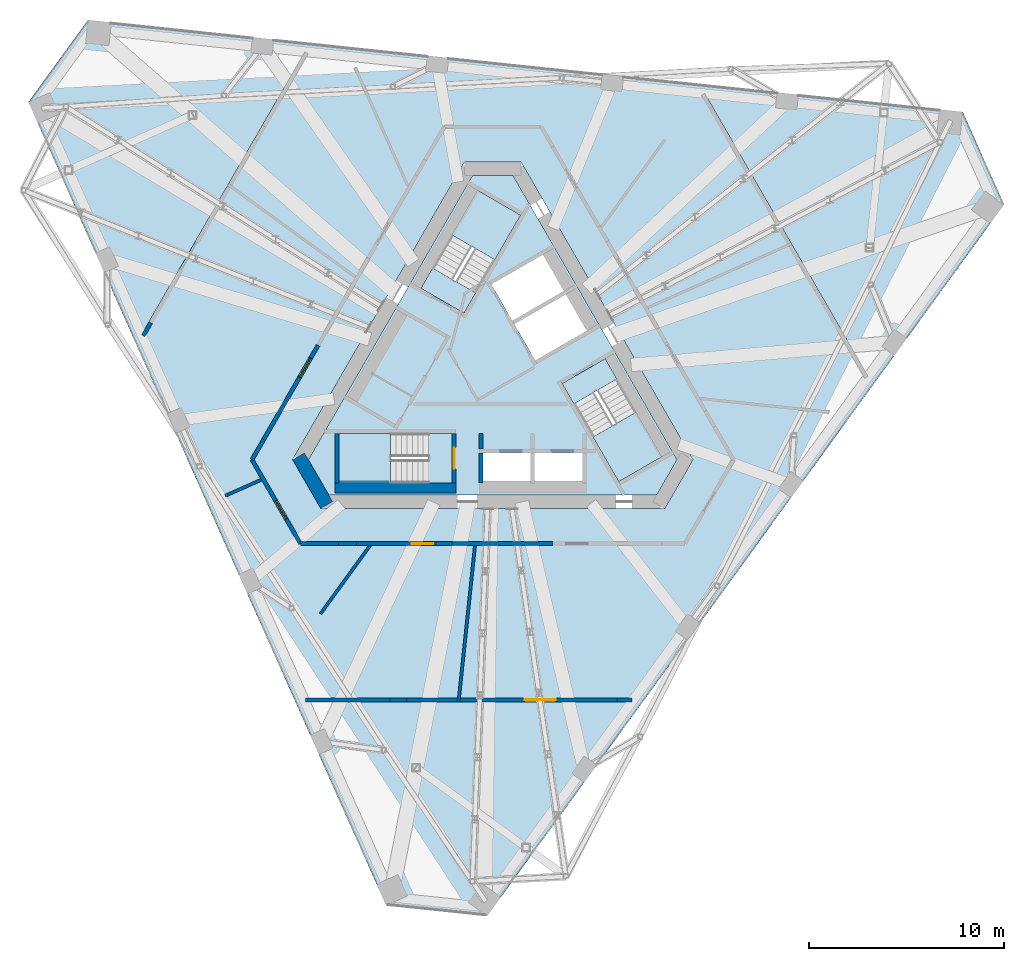
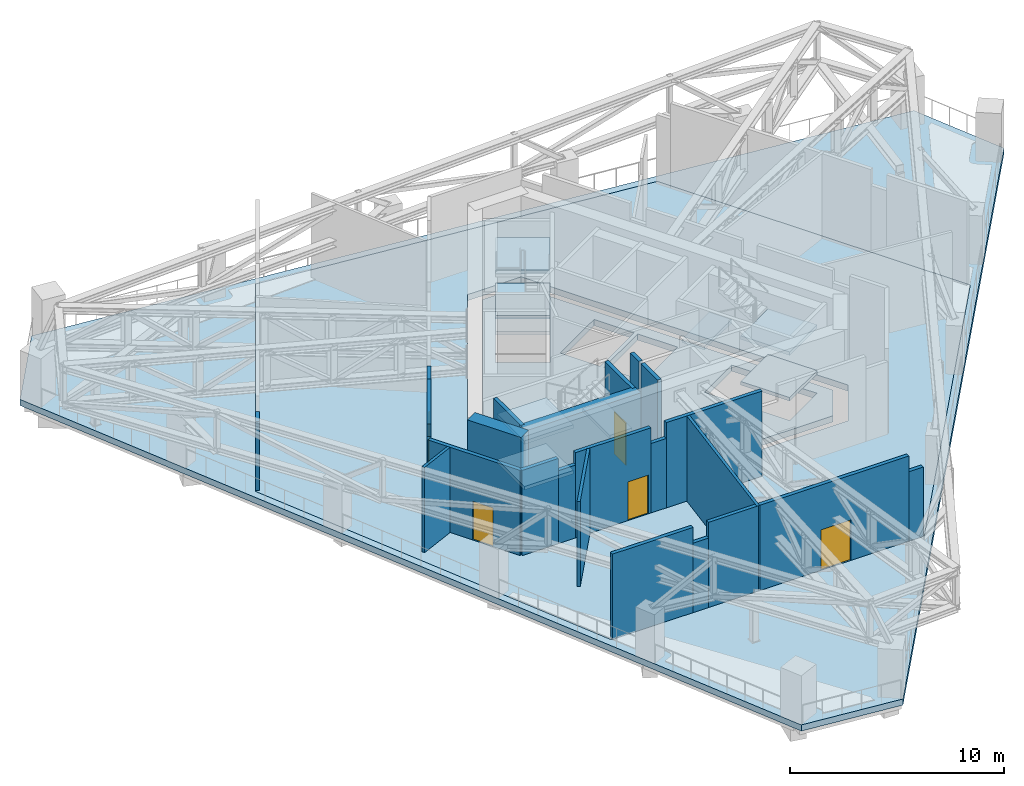
# One storey, part 11 of 20: 23 walls, 12 slabs, 5 doors, 5 openings, 3 elements without a shape of their own.
"""IFC4 building model written with IfcOpenShell, lengths in metres."""

from ifc_helpers import new_model, si_unit, direction, frame, frame_2d, origin, place, context, subcontext, project, spatial, polyline, rectangle, outline, extrude, material, layer, layer_set, type_object, element, fill, aggregate, save


model = new_model("IFC4")

# Units and contexts
model_context = context("Model", 3, precision=1e-05, world=origin(), true_north=direction((0.0, 1.0)))
body_context = subcontext(model_context, "Body", "Model", "MODEL_VIEW")
ifc_project = project(units=[si_unit("LENGTHUNIT", "METRE"), si_unit("AREAUNIT", "SQUARE_METRE"), si_unit("VOLUMEUNIT", "CUBIC_METRE"), si_unit("PLANEANGLEUNIT", "RADIAN"), si_unit("MASSUNIT", "GRAM", prefix="KILO")], contexts=[model_context])

# Site, building, storey
site_placement = place(None, origin())
site = spatial("IfcSite", under=ifc_project, at=site_placement, CompositionType="ELEMENT")
building_placement = place(site_placement, origin())
building = spatial("IfcBuilding", under=site, at=building_placement, Name="Tramontana Tower", CompositionType="ELEMENT")
storey_placement = place(building_placement, frame((0.0, 0.0, 269.199951171875)))
storey = spatial("IfcBuildingStorey", under=building, at=storey_placement, Name="L63", CompositionType="ELEMENT", Elevation=269.199951171875)

# Slabs
ifc_material_1 = material(Name="Concrete 40 MPa", Category="concrete")
ifc_layer_1 = layer(ifc_material_1, 0.35009765625)
ifc_layer_set_1 = layer_set([ifc_layer_1], Name="PT FLAT SLAB 350 40 MPa")
slab_type_1 = type_object("IfcSlabType", Name="PT FLAT SLAB 350 40 MPa", PredefinedType="FLOOR", material=ifc_layer_set_1)
slab_1_placement = place(storey_placement, frame((0.0, 0.0, -0.349853515625)))
element("IfcSlab", 1, at=slab_1_placement, inside=storey, type_object=slab_type_1, Name="Floor slab L63", PredefinedType="FLOOR", context=body_context, shape_type="SweptSolid", body=[
    extrude(outline(polyline([(-9.598388671875, -16.64990234375), (-9.608154296875, -16.6494140625), (-9.617919921875, -16.648193359375), (-9.62744140625, -16.645751953125), (-9.63671875, -16.642333984375), (-9.6455078125, -16.63818359375), (-9.65380859375, -16.633056640625), (-9.661865234375, -16.627197265625), (-9.6689453125, -16.62060546875), (-9.675537109375, -16.61328125), (-9.681396484375, -16.605712890625), (-9.6865234375, -16.59716796875), (-9.690673828125, -16.58837890625), (-17.98974609375, 2.052001953125), (-17.99365234375, 2.060791015625), (-17.99658203125, 2.0703125), (-17.998779296875, 2.079833984375), (-18.0, 2.089599609375), (-18.0, 2.099365234375), (-17.999267578125, 2.109130859375), (-17.99755859375, 2.118896484375), (-17.994873046875, 2.128173828125), (-17.9912109375, 2.137451171875), (-17.98681640625, 2.14599609375), (-17.59619140625, 2.822509765625), (-9.6201171875, 16.637451171875), (-9.61474609375, 16.6455078125), (-9.608642578125, 16.6533203125), (-9.601806640625, 16.660400390625), (-9.594482421875, 16.666748046875), (-9.58642578125, 16.67236328125), (-9.577880859375, 16.677001953125), (-9.56884765625, 16.680908203125), (-9.559326171875, 16.68408203125), (-9.5498046875, 16.68603515625), (-9.5400390625, 16.687255859375), (-9.5302734375, 16.687255859375), (-9.5205078125, 16.6865234375), (10.77197265625, 14.5537109375), (10.781494140625, 14.552490234375), (10.791259765625, 14.550537109375), (10.800537109375, 14.547607421875), (10.8095703125, 14.543701171875), (10.818115234375, 14.538818359375), (10.826171875, 14.533203125), (10.833740234375, 14.52685546875), (10.840576171875, 14.519775390625), (10.8466796875, 14.51220703125), (10.851806640625, 14.50390625), (11.242431640625, 13.827392578125), (16.54248046875, 4.6474609375), (19.218505859375, 0.0126953125), (19.222900390625, 0.00390625), (19.2265625, -0.00537109375), (19.229248046875, -0.0146484375), (19.23095703125, -0.0244140625), (19.231689453125, -0.0341796875), (19.231689453125, -0.0439453125), (19.23046875, -0.0537109375), (19.228515625, -0.063232421875), (19.2255859375, -0.072509765625), (19.2216796875, -0.08154296875), (19.216796875, -0.090087890625), (19.211181640625, -0.098388671875), (7.218017578125, -16.605712890625), (7.212158203125, -16.61328125), (7.20556640625, -16.62060546875), (7.1982421875, -16.627197265625), (7.190185546875, -16.633056640625), (7.181884765625, -16.63818359375), (7.173095703125, -16.642333984375), (7.163818359375, -16.645751953125), (7.154296875, -16.648193359375), (7.14453125, -16.6494140625), (7.134765625, -16.64990234375), (6.353515625, -16.64990234375), (-9.598388671875, -16.64990234375)]), holes=[polyline([(-8.8046875, -6.75), (8.8046875, -6.75), (10.248046875, -4.25), (1.443359375, 11.0), (-1.443359375, 11.0), (-10.248046875, -4.25), (-8.8046875, -6.75)])]), origin(), (0.0, 0.0, 1.0), 0.349853515625),
])
slab_2_placement = place(storey_placement, frame((0.0, 0.0, -0.349853515625)))
element("IfcSlab", 2, at=slab_2_placement, inside=storey, type_object=slab_type_1, Name="Terrace slab L63", PredefinedType="FLOOR", context=body_context, shape_type="SweptSolid", body=[
    extrude(outline(polyline([(-0.290771484375, -27.620849609375), (-5.45849609375, -27.077880859375), (-23.775146484375, 14.062255859375), (-20.720947265625, 18.26611328125), (24.06591796875, 13.55859375), (26.17919921875, 8.811767578125), (-0.290771484375, -27.620849609375)]), holes=[polyline([(7.134765625, -16.64990234375), (7.14453125, -16.6494140625), (7.154296875, -16.648193359375), (7.163818359375, -16.645751953125), (7.173095703125, -16.642333984375), (7.181884765625, -16.63818359375), (7.190185546875, -16.633056640625), (7.1982421875, -16.627197265625), (7.20556640625, -16.62060546875), (7.212158203125, -16.61328125), (7.218017578125, -16.605712890625), (19.211181640625, -0.098388671875), (19.216796875, -0.090087890625), (19.2216796875, -0.08154296875), (19.2255859375, -0.072509765625), (19.228515625, -0.063232421875), (19.23046875, -0.0537109375), (19.231689453125, -0.0439453125), (19.231689453125, -0.0341796875), (19.23095703125, -0.0244140625), (19.229248046875, -0.0146484375), (19.2265625, -0.00537109375), (19.222900390625, 0.00390625), (19.218505859375, 0.0126953125), (16.54248046875, 4.6474609375), (11.242431640625, 13.827392578125), (10.851806640625, 14.50390625), (10.8466796875, 14.51220703125), (10.840576171875, 14.519775390625), (10.833740234375, 14.52685546875), (10.826171875, 14.533203125), (10.818115234375, 14.538818359375), (10.8095703125, 14.543701171875), (10.800537109375, 14.547607421875), (10.791259765625, 14.550537109375), (10.781494140625, 14.552490234375), (10.77197265625, 14.5537109375), (-9.5205078125, 16.6865234375), (-9.5302734375, 16.687255859375), (-9.5400390625, 16.687255859375), (-9.5498046875, 16.68603515625), (-9.559326171875, 16.68408203125), (-9.56884765625, 16.680908203125), (-9.577880859375, 16.677001953125), (-9.58642578125, 16.67236328125), (-9.594482421875, 16.666748046875), (-9.601806640625, 16.660400390625), (-9.608642578125, 16.6533203125), (-9.61474609375, 16.6455078125), (-9.6201171875, 16.637451171875), (-17.59619140625, 2.822509765625), (-17.98681640625, 2.14599609375), (-17.9912109375, 2.137451171875), (-17.994873046875, 2.128173828125), (-17.99755859375, 2.118896484375), (-17.999267578125, 2.109130859375), (-18.0, 2.099365234375), (-18.0, 2.089599609375), (-17.998779296875, 2.079833984375), (-17.99658203125, 2.0703125), (-17.99365234375, 2.060791015625), (-17.98974609375, 2.052001953125), (-9.690673828125, -16.58837890625), (-9.6865234375, -16.59716796875), (-9.681396484375, -16.605712890625), (-9.675537109375, -16.61328125), (-9.6689453125, -16.62060546875), (-9.661865234375, -16.627197265625), (-9.65380859375, -16.633056640625), (-9.6455078125, -16.63818359375), (-9.63671875, -16.642333984375), (-9.62744140625, -16.645751953125), (-9.617919921875, -16.648193359375), (-9.608154296875, -16.6494140625), (-9.598388671875, -16.64990234375), (6.353515625, -16.64990234375), (7.134765625, -16.64990234375)])]), origin(), (0.0, 0.0, 1.0), 0.349853515625),
])
slab_3_placement = place(storey_placement, frame((0.0, 0.0, -0.349853515625)))
element("IfcSlab", 3, at=slab_3_placement, inside=storey, type_object=slab_type_1, Name="Core floor slab L63", PredefinedType="FLOOR", context=body_context, shape_type="SweptSolid", body=[
    extrude(outline(polyline([(9.439697265625, -4.25), (8.400390625, -6.050048828125), (-8.400390625, -6.050048828125), (-9.439697265625, -4.25), (-1.039306640625, 10.300048828125), (1.039306640625, 10.300048828125), (9.439697265625, -4.25)]), holes=[polyline([(8.659912109375, -4.099365234375), (6.35986328125, -0.115478515625), (4.151611328125, -1.390625), (6.451416015625, -5.374267578125), (8.659912109375, -4.099365234375)]), polyline([(3.829833984375, 4.2666015625), (1.101806640625, 2.69140625), (2.177001953125, 0.82958984375), (4.90478515625, 2.404541015625), (3.829833984375, 4.2666015625)]), polyline([(4.590087890625, -3.89990234375), (2.139892578125, -3.89990234375), (2.139892578125, -5.449951171875), (4.590087890625, -5.449951171875), (4.590087890625, -3.89990234375)]), polyline([(2.65478515625, 6.3017578125), (-0.072998046875, 4.726806640625), (1.001953125, 2.86474609375), (3.729736328125, 4.439697265625), (2.65478515625, 6.3017578125)]), polyline([(1.93994140625, -5.449951171875), (1.93994140625, -3.89990234375), (-0.510009765625, -3.89990234375), (-0.510009765625, -5.449951171875), (1.93994140625, -5.449951171875)]), polyline([(-0.77978515625, 9.54931640625), (-3.079833984375, 5.565673828125), (-0.87158203125, 4.29052734375), (1.428466796875, 8.2744140625), (-0.77978515625, 9.54931640625)]), polyline([(-7.8798828125, -5.449951171875), (-3.280029296875, -5.449951171875), (-3.280029296875, -2.89990234375), (-7.8798828125, -2.89990234375), (-7.8798828125, -5.449951171875)])]), origin(), (0.0, 0.0, 1.0), 0.349853515625),
])

# Stair, slabs
ifc_material_2 = material(Name="Concrete 40 MPa", Category="concrete")
stair_type = type_object("IfcStairType", Name="EXIT STAIR 32 RISERS", PredefinedType="HALF_TURN_STAIR", material=ifc_material_2)
stair_1_placement = place(storey_placement, origin())
stair_1 = element("IfcStair", 4, at=stair_1_placement, inside=storey, type_object=stair_type, Name="L63 Exit stair ST1", PredefinedType="HALF_TURN_STAIR")
ifc_material_3 = material(Name="Concrete 40 MPa", Category="concrete")
ifc_layer_2 = layer(ifc_material_3, 0.199951171875)
ifc_layer_set_2 = layer_set([ifc_layer_2], Name="STAIR LANDING 200")
slab_type_2 = type_object("IfcSlabType", Name="STAIR LANDING 200", PredefinedType="LANDING", material=ifc_layer_set_2)
slab_4_placement = place(storey_placement, frame((0.0, 0.0, 1.10009765625)))
slab_4 = element("IfcSlab", 5, at=slab_4_placement, type_object=slab_type_2, Name="ST1 landing 1", PredefinedType="LANDING", context=body_context, shape_type="SweptSolid", body=[
    extrude(outline(polyline([(0.108642578125, 5.988037109375), (1.428466796875, 8.274169921875), (-0.77978515625, 9.54931640625), (-2.099853515625, 7.262939453125), (0.108642578125, 5.988037109375)])), origin(), (0.0, 0.0, 1.0), 0.199951171875),
])
slab_5_placement = place(storey_placement, frame((0.0, 0.0, 2.400146484375)))
slab_5 = element("IfcSlab", 6, at=slab_5_placement, type_object=slab_type_2, Name="ST1 landing 2", PredefinedType="LANDING", context=body_context, shape_type="SweptSolid", body=[
    extrude(outline(polyline([(-1.471435546875, 3.251220703125), (-0.87158203125, 4.29052734375), (-3.079833984375, 5.565673828125), (-3.679931640625, 4.5263671875), (-1.471435546875, 3.251220703125)])), origin(), (0.0, 0.0, 1.0), 0.199951171875),
])
slab_6_placement = place(storey_placement, frame((0.0, 0.0, 3.699951171875)))
slab_6 = element("IfcSlab", 7, at=slab_6_placement, type_object=slab_type_2, Name="ST1 landing 3", PredefinedType="LANDING", context=body_context, shape_type="SweptSolid", body=[
    extrude(outline(polyline([(0.108642578125, 5.988037109375), (1.428466796875, 8.274169921875), (-0.77978515625, 9.54931640625), (-2.099853515625, 7.262939453125), (0.108642578125, 5.988037109375)])), origin(), (0.0, 0.0, 1.0), 0.2001953125),
])
aggregate(stair_1, [slab_4, slab_5, slab_6])

stair_2_placement = place(storey_placement, origin())
stair_2 = element("IfcStair", 8, at=stair_2_placement, inside=storey, type_object=stair_type, Name="L63 Exit stair ST2", PredefinedType="HALF_TURN_STAIR")
slab_7_placement = place(storey_placement, frame((0.0, 0.0, 1.10009765625)))
slab_7 = element("IfcSlab", 9, at=slab_7_placement, type_object=slab_type_2, Name="ST2 landing 1", PredefinedType="LANDING", context=body_context, shape_type="SweptSolid", body=[
    extrude(outline(polyline([(-5.239990234375, -2.89990234375), (-7.8798828125, -2.89990234375), (-7.8798828125, -5.449951171875), (-5.239990234375, -5.449951171875), (-5.239990234375, -2.89990234375)])), origin(), (0.0, 0.0, 1.0), 0.199951171875),
])
slab_8_placement = place(storey_placement, frame((0.0, 0.0, 2.400146484375)))
slab_8 = element("IfcSlab", 10, at=slab_8_placement, type_object=slab_type_2, Name="ST2 landing 2", PredefinedType="LANDING", context=body_context, shape_type="SweptSolid", body=[
    extrude(outline(polyline([(-2.080078125, -2.89990234375), (-3.280029296875, -2.89990234375), (-3.280029296875, -5.449951171875), (-2.080078125, -5.449951171875), (-2.080078125, -2.89990234375)])), origin(), (0.0, 0.0, 1.0), 0.199951171875),
])
slab_9_placement = place(storey_placement, frame((0.0, 0.0, 3.699951171875)))
slab_9 = element("IfcSlab", 11, at=slab_9_placement, type_object=slab_type_2, Name="ST2 landing 3", PredefinedType="LANDING", context=body_context, shape_type="SweptSolid", body=[
    extrude(outline(polyline([(-5.239990234375, -2.89990234375), (-7.8798828125, -2.89990234375), (-7.8798828125, -5.449951171875), (-5.239990234375, -5.449951171875), (-5.239990234375, -2.89990234375)])), origin(), (0.0, 0.0, 1.0), 0.2001953125),
])
aggregate(stair_2, [slab_7, slab_8, slab_9])

stair_3_placement = place(storey_placement, origin())
stair_3 = element("IfcStair", 12, at=stair_3_placement, inside=storey, type_object=stair_type, Name="L63 Exit stair ST3", PredefinedType="HALF_TURN_STAIR")
slab_10_placement = place(storey_placement, frame((0.0, 0.0, 1.10009765625)))
slab_10 = element("IfcSlab", 13, at=slab_10_placement, type_object=slab_type_2, Name="ST3 landing 1", PredefinedType="LANDING", context=body_context, shape_type="SweptSolid", body=[
    extrude(outline(polyline([(5.131591796875, -3.087890625), (6.451416015625, -5.374267578125), (8.659912109375, -4.099365234375), (7.33984375, -1.81298828125), (5.131591796875, -3.087890625)])), origin(), (0.0, 0.0, 1.0), 0.199951171875),
])
slab_11_placement = place(storey_placement, frame((0.0, 0.0, 2.400146484375)))
slab_11 = element("IfcSlab", 14, at=slab_11_placement, type_object=slab_type_2, Name="ST3 landing 2", PredefinedType="LANDING", context=body_context, shape_type="SweptSolid", body=[
    extrude(outline(polyline([(3.551513671875, -0.351318359375), (4.1513671875, -1.390625), (6.35986328125, -0.115478515625), (5.759765625, 0.923583984375), (3.551513671875, -0.351318359375)])), origin(), (0.0, 0.0, 1.0), 0.199951171875),
])
slab_12_placement = place(storey_placement, frame((0.0, 0.0, 3.699951171875)))
slab_12 = element("IfcSlab", 15, at=slab_12_placement, type_object=slab_type_2, Name="ST3 landing 3", PredefinedType="LANDING", context=body_context, shape_type="SweptSolid", body=[
    extrude(outline(polyline([(5.131591796875, -3.087890625), (6.451416015625, -5.374267578125), (8.659912109375, -4.099365234375), (7.33984375, -1.81298828125), (5.131591796875, -3.087890625)])), origin(), (0.0, 0.0, 1.0), 0.2001953125),
])
aggregate(stair_3, [slab_10, slab_11, slab_12])

# Walls
ifc_material_4 = material(Name="Concrete 70 MPa", Category="concrete")
ifc_layer_3 = layer(ifc_material_4, 0.699951171875)
ifc_layer_set_3 = layer_set([ifc_layer_3], Name="Core wall 700 70 MPa")
wall_type_1 = type_object("IfcWallType", Name="Core wall 700 70 MPa", PredefinedType="SHEAR", material=ifc_layer_set_3)
wall_1_placement = place(storey_placement, frame((-9.94482421875, -4.074951171875, 0.0), z_axis=(0.0, 0.0, 1.0), x_axis=(0.499995765644, -0.866027848477, 0.0)))
element("IfcWall", 16, at=wall_1_placement, inside=storey, type_object=wall_type_1, Name="Core wall C2 L63", PredefinedType="SHEAR", context=body_context, shape_type="SweptSolid", body=[
    extrude(rectangle(XDim=2.88671875, YDim=0.699951171875, at=frame_2d((1.443359375, 0.0))), origin(), (0.0, 0.0, 1.0), 5.199951171875),
])
ifc_material_5 = material(Name="Blockwork", Category="masonry")
ifc_layer_4 = layer(ifc_material_5, 0.199951171875)
ifc_layer_set_4 = layer_set([ifc_layer_4], Name="ENCLOSURE WALL 200")
wall_type_2 = type_object("IfcWallType", Name="ENCLOSURE WALL 200", PredefinedType="SOLIDWALL", material=ifc_layer_set_4)
wall_2_placement = place(storey_placement, frame((7.134765625, -16.550048828125, 0.0), z_axis=(0.0, 0.0, 1.0), x_axis=(-1.0, 0.0, 0.0)))
element("IfcWall", 17, at=wall_2_placement, inside=storey, type_object=wall_type_2, Name="Wall enc0-0", PredefinedType="SOLIDWALL", context=body_context, shape_type="SweptSolid", body=[
    extrude(rectangle(XDim=0.78125, YDim=0.199951171875, at=frame_2d((0.390625, 0.0))), origin(), (0.0, 0.0, 1.0), 3.949951171875),
])

# Wall, opening, door
wall_3_placement = place(storey_placement, frame((6.353515625, -16.550048828125, 0.0), z_axis=(0.0, 0.0, 1.0), x_axis=(-1.0, 0.0, 0.0)))
wall_3 = element("IfcWall", 18, at=wall_3_placement, inside=storey, type_object=wall_type_2, Name="Wall enc0-1", PredefinedType="SOLIDWALL", context=body_context, shape_type="SweptSolid", body=[
    extrude(rectangle(XDim=10.774658203125, YDim=0.199951171875, at=frame_2d((5.38720703125, 0.0))), origin(), (0.0, 0.0, 1.0), 4.85009765625),
])
opening_1_placement = place(wall_3_placement, frame((3.124755859375, 0.0, 0.0)))
opening_1 = element("IfcOpeningElement", 19, at=opening_1_placement, cuts=wall_3, Name="Opening L63-11", PredefinedType="OPENING", context=body_context, shape_type="SweptSolid", body=[
    extrude(rectangle(XDim=1.60009765625, YDim=2.300048828125, at=frame_2d((0.800048828125, 1.14990234375))), frame((0.0, 0.10986328125, 0.0), z_axis=(0.0, -1.0, 0.0), x_axis=(1.0, 0.0, 0.0)), (0.0, 0.0, 1.0), 0.219970703125),
])
ifc_material_6 = material(Name="Painted timber", Category="wood")
door_type_1 = type_object("IfcDoorType", Name="DOOR WIDE 1600", OperationType="SINGLE_SWING_LEFT", PredefinedType="DOOR", material=ifc_material_6)
door_1_placement = place(opening_1_placement, origin())
door_1 = element("IfcDoor", 20, at=door_1_placement, inside=storey, type_object=door_type_1, Name="Door L63-11", OperationType="DOUBLE_DOOR_SINGLE_SWING", OverallHeight=2.300048828125, OverallWidth=1.60009765625, PredefinedType="DOOR", context=body_context, shape_type="SweptSolid", body=[
    extrude(rectangle(XDim=1.60009765625, YDim=2.300048828125, at=frame_2d((0.800048828125, 1.14990234375))), frame((0.0, 0.02490234375, 0.0), z_axis=(0.0, -1.0, 0.0), x_axis=(1.0, 0.0, 0.0)), (0.0, 0.0, 1.0), 0.050048828125),
])
fill(opening_1, door_1)

# Walls
wall_4_placement = place(storey_placement, frame((-4.421142578125, -16.550048828125, 0.0), z_axis=(0.0, 0.0, 1.0), x_axis=(-1.0, 0.0, 0.0)))
element("IfcWall", 21, at=wall_4_placement, inside=storey, type_object=wall_type_2, Name="Wall enc0-2", PredefinedType="SOLIDWALL", context=body_context, shape_type="SweptSolid", body=[
    extrude(rectangle(XDim=0.83349609375, YDim=0.199951171875, at=frame_2d((0.416748046875, 0.0))), origin(), (0.0, 0.0, 1.0), 3.949951171875),
])
wall_5_placement = place(storey_placement, frame((-5.254638671875, -16.550048828125, 0.0), z_axis=(0.0, 0.0, 1.0), x_axis=(-1.0, 0.0, 0.0)))
element("IfcWall", 22, at=wall_5_placement, inside=storey, type_object=wall_type_2, Name="Wall enc0-3", PredefinedType="SOLIDWALL", context=body_context, shape_type="SweptSolid", body=[
    extrude(rectangle(XDim=4.34375, YDim=0.199951171875, at=frame_2d((2.171875, 0.0))), origin(), (0.0, 0.0, 1.0), 4.85009765625),
])
wall_6_placement = place(storey_placement, frame((-17.900146484375, 2.09619140625, 0.0), z_axis=(0.0, 0.0, 1.0), x_axis=(0.50003806587, 0.866003425329, 0.0)))
element("IfcWall", 23, at=wall_6_placement, inside=storey, type_object=wall_type_2, Name="Wall enc1-0", PredefinedType="SOLIDWALL", context=body_context, shape_type="SweptSolid", body=[
    extrude(rectangle(XDim=0.78125, YDim=0.199951171875, at=frame_2d((0.390625, 0.0))), origin(), (0.0, 0.0, 1.0), 3.949951171875),
])
ifc_material_7 = material(Name="Blockwork", Category="masonry")
ifc_layer_5 = layer(ifc_material_7, 0.199951171875)
ifc_layer_set_5 = layer_set([ifc_layer_5], Name="ENTRY WALL 200")
wall_type_3 = type_object("IfcWallType", Name="ENTRY WALL 200", PredefinedType="SOLIDWALL", material=ifc_layer_set_5)
wall_7_placement = place(storey_placement, frame((3.073486328125, -8.550048828125, 0.0), z_axis=(0.0, 0.0, 1.0), x_axis=(-1.0, 0.0, 0.0)))
element("IfcWall", 24, at=wall_7_placement, inside=storey, type_object=wall_type_3, Name="Wall ew1-3", PredefinedType="SOLIDWALL", context=body_context, shape_type="SweptSolid", body=[
    extrude(rectangle(XDim=5.156005859375, YDim=0.199951171875, at=frame_2d((2.578125, 0.0))), origin(), (0.0, 0.0, 1.0), 4.85009765625),
])
wall_8_placement = place(storey_placement, frame((-2.08251953125, -8.550048828125, 0.0), z_axis=(0.0, 0.0, 1.0), x_axis=(-1.0, 0.0, 0.0)))
element("IfcWall", 25, at=wall_8_placement, inside=storey, type_object=wall_type_3, Name="Wall ew1-4", PredefinedType="SOLIDWALL", context=body_context, shape_type="SweptSolid", body=[
    extrude(rectangle(XDim=0.83349609375, YDim=0.199951171875, at=frame_2d((0.416748046875, 0.0))), origin(), (0.0, 0.0, 1.0), 3.949951171875),
])

# Wall, opening, door
wall_9_placement = place(storey_placement, frame((-2.916015625, -8.550048828125, 0.0), z_axis=(0.0, 0.0, 1.0), x_axis=(-1.0, 0.0, 0.0)))
wall_9 = element("IfcWall", 26, at=wall_9_placement, inside=storey, type_object=wall_type_3, Name="Wall ew1-5", PredefinedType="SOLIDWALL", context=body_context, shape_type="SweptSolid", body=[
    extrude(rectangle(XDim=4.052490234375, YDim=0.199951171875, at=frame_2d((2.0263671875, 0.0))), origin(), (0.0, 0.0, 1.0), 4.85009765625),
])
opening_2_placement = place(wall_9_placement, frame((0.130859375, 0.0, 0.0)))
opening_2 = element("IfcOpeningElement", 27, at=opening_2_placement, cuts=wall_9, Name="Opening L63-06", PredefinedType="OPENING", context=body_context, shape_type="SweptSolid", body=[
    extrude(rectangle(XDim=1.10009765625, YDim=2.199951171875, at=frame_2d((0.550048828125, 1.10009765625))), frame((0.0, 0.10986328125, 0.0), z_axis=(0.0, -1.0, 0.0), x_axis=(1.0, 0.0, 0.0)), (0.0, 0.0, 1.0), 0.219970703125),
])
ifc_material_8 = material(Name="Painted steel", Category="steel")
door_type_2 = type_object("IfcDoorType", Name="PLANT DOOR 1100", OperationType="SINGLE_SWING_LEFT", PredefinedType="DOOR", material=ifc_material_8)
door_2_placement = place(opening_2_placement, origin())
door_2 = element("IfcDoor", 28, at=door_2_placement, inside=storey, type_object=door_type_2, Name="Door L63-06", OperationType="SINGLE_SWING_RIGHT", OverallHeight=2.199951171875, OverallWidth=1.10009765625, PredefinedType="DOOR", context=body_context, shape_type="SweptSolid", body=[
    extrude(rectangle(XDim=1.10009765625, YDim=2.199951171875, at=frame_2d((0.550048828125, 1.10009765625))), frame((0.0, 0.02490234375, 0.0), z_axis=(0.0, -1.0, 0.0), x_axis=(1.0, 0.0, 0.0)), (0.0, 0.0, 1.0), 0.050048828125),
])
fill(opening_2, door_2)

# Walls
wall_10_placement = place(storey_placement, frame((-6.968505859375, -8.550048828125, 0.0), z_axis=(0.0, 0.0, 1.0), x_axis=(-1.0, 0.0, 0.0)))
element("IfcWall", 29, at=wall_10_placement, inside=storey, type_object=wall_type_3, Name="Wall ew1-6", PredefinedType="SOLIDWALL", context=body_context, shape_type="SweptSolid", body=[
    extrude(rectangle(XDim=0.927490234375, YDim=0.199951171875, at=frame_2d((0.4638671875, 0.0))), origin(), (0.0, 0.0, 1.0), 4.150146484375),
])
wall_11_placement = place(storey_placement, frame((-7.89599609375, -8.550048828125, 0.0), z_axis=(0.0, 0.0, 1.0), x_axis=(-1.0, 0.0, 0.0)))
element("IfcWall", 30, at=wall_11_placement, inside=storey, type_object=wall_type_3, Name="Wall ew1-7", PredefinedType="SOLIDWALL", context=body_context, shape_type="SweptSolid", body=[
    extrude(rectangle(XDim=1.94775390625, YDim=0.199951171875, at=frame_2d((0.973876953125, 0.0))), origin(), (0.0, 0.0, 1.0), 4.85009765625),
])

# Wall, opening, door
wall_12_placement = place(storey_placement, frame((-9.84375, -8.550048828125, 0.0), z_axis=(0.0, 0.0, 1.0), x_axis=(-0.50000478328, 0.866022642139, 0.0)))
wall_12 = element("IfcWall", 31, at=wall_12_placement, inside=storey, type_object=wall_type_3, Name="Wall ew2", PredefinedType="SOLIDWALL", context=body_context, shape_type="SweptSolid", body=[
    extrude(rectangle(XDim=4.96533203125, YDim=0.199951171875, at=frame_2d((2.482666015625, 0.0))), origin(), (0.0, 0.0, 1.0), 4.85009765625),
])
opening_3_placement = place(wall_12_placement, frame((1.449951171875, 0.0, 0.0)))
opening_3 = element("IfcOpeningElement", 32, at=opening_3_placement, cuts=wall_12, Name="Opening L63-05", PredefinedType="OPENING", context=body_context, shape_type="SweptSolid", body=[
    extrude(rectangle(XDim=1.10009765625, YDim=2.199951171875, at=frame_2d((0.550048828125, 1.10009765625))), frame((0.0, 0.10986328125, 0.0), z_axis=(0.0, -1.0, 0.0), x_axis=(1.0, 0.0, 0.0)), (0.0, 0.0, 1.0), 0.219970703125),
])
door_3_placement = place(opening_3_placement, origin())
door_3 = element("IfcDoor", 33, at=door_3_placement, inside=storey, type_object=door_type_2, Name="Door L63-05", OperationType="SINGLE_SWING_LEFT", OverallHeight=2.199951171875, OverallWidth=1.10009765625, PredefinedType="DOOR", context=body_context, shape_type="SweptSolid", body=[
    extrude(rectangle(XDim=1.10009765625, YDim=2.199951171875, at=frame_2d((0.550048828125, 1.10009765625))), frame((0.0, 0.02490234375, 0.0), z_axis=(0.0, -1.0, 0.0), x_axis=(1.0, 0.0, 0.0)), (0.0, 0.0, 1.0), 0.050048828125),
])
fill(opening_3, door_3)

# Walls
wall_13_placement = place(storey_placement, frame((-12.326416015625, -4.25, 0.0), z_axis=(0.0, 0.0, 1.0), x_axis=(0.499983247966, 0.86603507536, 0.0)))
element("IfcWall", 34, at=wall_13_placement, inside=storey, type_object=wall_type_3, Name="Wall ew3-0", PredefinedType="SOLIDWALL", context=body_context, shape_type="SweptSolid", body=[
    extrude(rectangle(XDim=1.1884765625, YDim=0.199951171875, at=frame_2d((0.59423828125, 0.0))), origin(), (0.0, 0.0, 1.0), 4.150146484375),
])
wall_14_placement = place(storey_placement, frame((-11.732177734375, -3.220703125, 0.0), z_axis=(0.0, 0.0, 1.0), x_axis=(0.500018146515, 0.866014926636, 0.0)))
element("IfcWall", 35, at=wall_14_placement, inside=storey, type_object=wall_type_3, Name="Wall ew3-1", PredefinedType="SOLIDWALL", context=body_context, shape_type="SweptSolid", body=[
    extrude(rectangle(XDim=3.668701171875, YDim=0.199951171875, at=frame_2d((1.83447265625, 0.0))), origin(), (0.0, 0.0, 1.0), 4.85009765625),
])

# Wall, opening, door
wall_15_placement = place(storey_placement, frame((-9.897705078125, -0.04345703125, 0.0), z_axis=(0.0, 0.0, 1.0), x_axis=(0.500009674092, 0.866019818373, 0.0)))
wall_15 = element("IfcWall", 36, at=wall_15_placement, inside=storey, type_object=wall_type_3, Name="Wall ew3-2", PredefinedType="SOLIDWALL", context=body_context, shape_type="SweptSolid", body=[
    extrude(outline(polyline([(0.0, 0.0), (1.9130859375, 0.0), (1.9130859375, 3.949951171875), (1.04833984375, 3.949951171875), (1.04833984375, 4.85009765625), (0.0, 4.85009765625), (0.0, 0.0)])), frame((0.0, 0.10009765625, 0.0), z_axis=(0.0, -1.0, 0.0), x_axis=(1.0, 0.0, 0.0)), (0.0, 0.0, 1.0), 0.199951171875),
])
opening_4_placement = place(wall_15_placement, frame((0.050048828125, 0.0, 0.0)))
opening_4 = element("IfcOpeningElement", 37, at=opening_4_placement, cuts=wall_15, Name="Opening L63-04", PredefinedType="OPENING", context=body_context, shape_type="SweptSolid", body=[
    extrude(rectangle(XDim=1.10009765625, YDim=2.199951171875, at=frame_2d((0.550048828125, 1.10009765625))), frame((0.0, 0.10986328125, 0.0), z_axis=(0.0, -1.0, 0.0), x_axis=(1.0, 0.0, 0.0)), (0.0, 0.0, 1.0), 0.219970703125),
])
door_4_placement = place(opening_4_placement, origin())
door_4 = element("IfcDoor", 38, at=door_4_placement, inside=storey, type_object=door_type_2, Name="Door L63-04", OperationType="SINGLE_SWING_RIGHT", OverallHeight=2.199951171875, OverallWidth=1.10009765625, PredefinedType="DOOR", context=body_context, shape_type="SweptSolid", body=[
    extrude(rectangle(XDim=1.10009765625, YDim=2.199951171875, at=frame_2d((0.550048828125, 1.10009765625))), frame((0.0, 0.02490234375, 0.0), z_axis=(0.0, -1.0, 0.0), x_axis=(1.0, 0.0, 0.0)), (0.0, 0.0, 1.0), 0.050048828125),
])
fill(opening_4, door_4)

# Walls
ifc_material_9 = material(Name="Gypsum board partition")
ifc_layer_6 = layer(ifc_material_9, 0.14990234375)
ifc_layer_set_6 = layer_set([ifc_layer_6], Name="PARTITION 150")
wall_type_4 = type_object("IfcWallType", Name="PARTITION 150", PredefinedType="PARTITIONING", material=ifc_layer_set_6)
wall_16_placement = place(storey_placement, frame((-11.849609375, -5.27587890625, 0.0), z_axis=(0.0, 0.0, 1.0), x_axis=(-0.913553334727, -0.406718950392, 0.0)))
element("IfcWall", 39, at=wall_16_placement, inside=storey, type_object=wall_type_4, Name="Wall fw-pw00", PredefinedType="PARTITIONING", context=body_context, shape_type="SweptSolid", body=[
    extrude(rectangle(XDim=2.02880859375, YDim=0.14990234375, at=frame_2d((1.014404296875, 0.0))), origin(), (0.0, 0.0, 1.0), 4.85009765625),
])
wall_17_placement = place(storey_placement, frame((-6.28466796875, -8.64990234375, 0.0), z_axis=(0.0, 0.0, 1.0), x_axis=(-0.587748136995, -0.809043958916, 0.0)))
element("IfcWall", 40, at=wall_17_placement, inside=storey, type_object=wall_type_4, Name="Wall fw-pw02", PredefinedType="PARTITIONING", context=body_context, shape_type="SweptSolid", body=[
    extrude(rectangle(XDim=4.319091796875, YDim=0.14990234375, at=frame_2d((2.15966796875, 0.0))), origin(), (0.0, 0.0, 1.0), 4.85009765625),
])
wall_18_placement = place(storey_placement, frame((-0.9091796875, -8.64990234375, 0.0), z_axis=(0.0, 0.0, 1.0), x_axis=(-0.104526794788, -0.994522070731, 0.0)))
element("IfcWall", 41, at=wall_18_placement, inside=storey, type_object=wall_type_4, Name="Wall fw-pw04", PredefinedType="PARTITIONING", context=body_context, shape_type="SweptSolid", body=[
    extrude(rectangle(XDim=8.0439453125, YDim=0.14990234375, at=frame_2d((4.02197265625, 0.0))), origin(), (0.0, 0.0, 1.0), 4.85009765625),
])
ifc_material_10 = material(Name="Concrete 70 MPa", Category="concrete")
ifc_layer_7 = layer(ifc_material_10, 0.60009765625)
ifc_layer_set_7 = layer_set([ifc_layer_7], Name="Concrete 70 MPa, 600 mm")
wall_type_5 = type_object("IfcWallType", Name="RC SHAFT BACK WALL 600", PredefinedType="SOLIDWALL", material=ifc_layer_set_7)
wall_19_placement = place(storey_placement, frame((-8.080078125, -5.64990234375, 0.0), z_axis=(0.0, 0.0, 1.0), x_axis=(1.0, 0.0, 0.0)))
element("IfcWall", 42, at=wall_19_placement, inside=storey, type_object=wall_type_5, Name="Wall st2-back", PredefinedType="SOLIDWALL", context=body_context, shape_type="SweptSolid", body=[
    extrude(rectangle(XDim=6.2001953125, YDim=0.60009765625, at=frame_2d((3.10009765625, 0.0))), origin(), (0.0, 0.0, 1.0), 4.85009765625),
])
ifc_material_11 = material(Name="Concrete 70 MPa", Category="concrete")
ifc_layer_8 = layer(ifc_material_11, 0.199951171875)
ifc_layer_set_8 = layer_set([ifc_layer_8], Name="Concrete 70 MPa, 200 mm")
wall_type_6 = type_object("IfcWallType", Name="RC STAIR AND SHAFT WALL 200", PredefinedType="SOLIDWALL", material=ifc_layer_set_8)
wall_20_placement = place(storey_placement, frame((-7.97998046875, -2.89990234375, 0.0), z_axis=(0.0, 0.0, 1.0), x_axis=(0.0, -1.0, 0.0)))
element("IfcWall", 43, at=wall_20_placement, inside=storey, type_object=wall_type_6, Name="Wall st2-far", PredefinedType="SOLIDWALL", context=body_context, shape_type="SweptSolid", body=[
    extrude(rectangle(XDim=2.550048828125, YDim=0.199951171875, at=frame_2d((1.27490234375, 0.0))), origin(), (0.0, 0.0, 1.0), 4.85009765625),
])

# Wall, opening, door
wall_21_placement = place(storey_placement, frame((-1.97998046875, -2.89990234375, 0.0), z_axis=(0.0, 0.0, 1.0), x_axis=(0.0, -1.0, 0.0)))
wall_21 = element("IfcWall", 44, at=wall_21_placement, inside=storey, type_object=wall_type_6, Name="Wall st2-near", PredefinedType="SOLIDWALL", context=body_context, shape_type="SweptSolid", body=[
    extrude(rectangle(XDim=2.550048828125, YDim=0.199951171875, at=frame_2d((1.27490234375, 0.0))), origin(), (0.0, 0.0, 1.0), 4.85009765625),
])
opening_5_placement = place(wall_21_placement, frame((0.72509765625, 0.0, 0.0)))
opening_5 = element("IfcOpeningElement", 45, at=opening_5_placement, cuts=wall_21, Name="Opening SD2", PredefinedType="OPENING", context=body_context, shape_type="SweptSolid", body=[
    extrude(rectangle(XDim=1.10009765625, YDim=2.39990234375, at=frame_2d((0.550048828125, 1.199951171875))), frame((0.0, 0.10986328125, 0.0), z_axis=(0.0, -1.0, 0.0), x_axis=(1.0, 0.0, 0.0)), (0.0, 0.0, 1.0), 0.219970703125),
])
ifc_material_12 = material(Name="Painted steel", Category="steel")
door_type_3 = type_object("IfcDoorType", Name="STAIR DOOR 1100", OperationType="SINGLE_SWING_LEFT", PredefinedType="DOOR", material=ifc_material_12)
door_5_placement = place(opening_5_placement, origin())
door_5 = element("IfcDoor", 46, at=door_5_placement, inside=storey, type_object=door_type_3, Name="Door SD2", OperationType="SINGLE_SWING_LEFT", OverallHeight=2.39990234375, OverallWidth=1.10009765625, PredefinedType="DOOR", context=body_context, shape_type="SweptSolid", body=[
    extrude(rectangle(XDim=1.10009765625, YDim=2.39990234375, at=frame_2d((0.550048828125, 1.199951171875))), frame((0.0, 0.02490234375, 0.0), z_axis=(0.0, -1.0, 0.0), x_axis=(1.0, 0.0, 0.0)), (0.0, 0.0, 1.0), 0.050048828125),
])
fill(opening_5, door_5)

# Walls
wall_22_placement = place(storey_placement, frame((-0.610107421875, -3.89990234375, 0.0), z_axis=(0.0, 0.0, 1.0), x_axis=(0.0, -1.0, 0.0)))
element("IfcWall", 47, at=wall_22_placement, inside=storey, type_object=wall_type_6, Name="Wall row1-side0", PredefinedType="SOLIDWALL", context=body_context, shape_type="SweptSolid", body=[
    extrude(rectangle(XDim=1.550048828125, YDim=0.199951171875, at=frame_2d((0.77490234375, 0.0))), origin(), (0.0, 0.0, 1.0), 4.85009765625),
])
wall_23_placement = place(storey_placement, frame((-0.610107421875, -2.89990234375, 0.0), z_axis=(0.0, 0.0, 1.0), x_axis=(0.0, -1.0, 0.0)))
element("IfcWall", 48, at=wall_23_placement, inside=storey, type_object=wall_type_6, Name="Wall row1-side0-ret", PredefinedType="SOLIDWALL", context=body_context, shape_type="SweptSolid", body=[
    extrude(rectangle(XDim=0.800048828125, YDim=0.199951171875, at=frame_2d((0.39990234375, 0.0))), origin(), (0.0, 0.0, 1.0), 4.85009765625),
])

save(model, "model.ifc")
